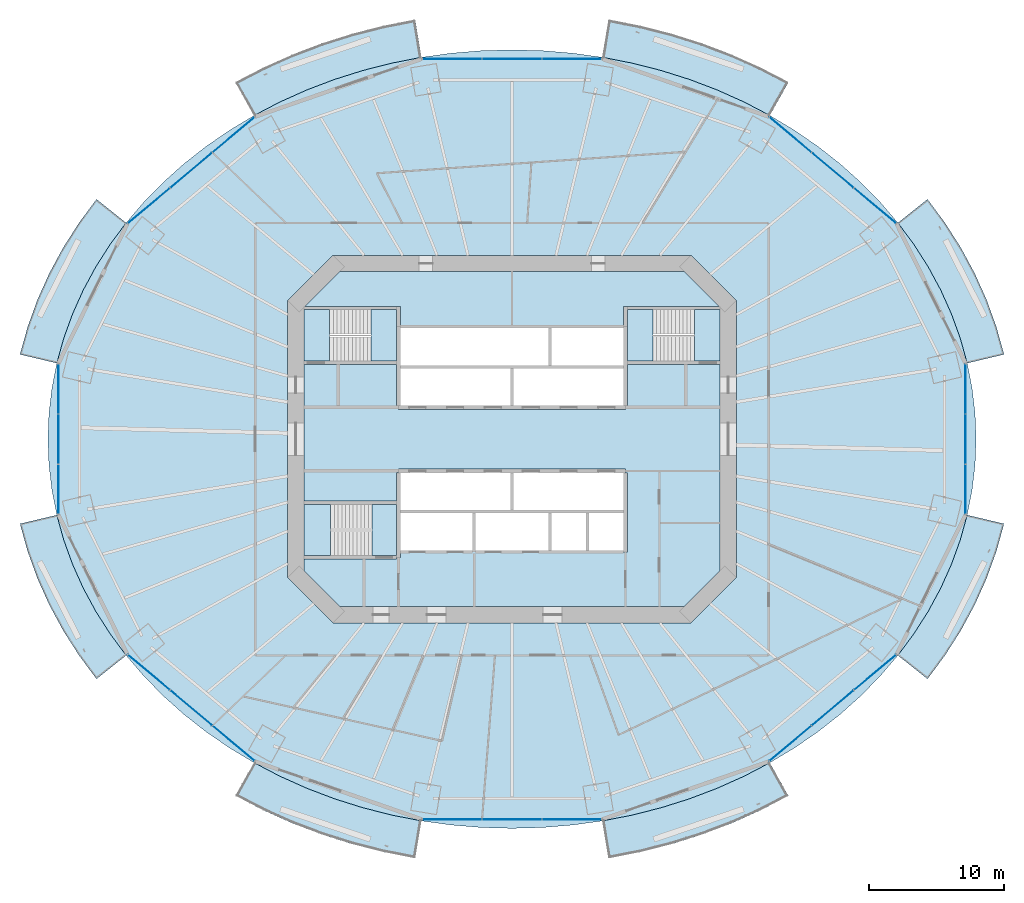
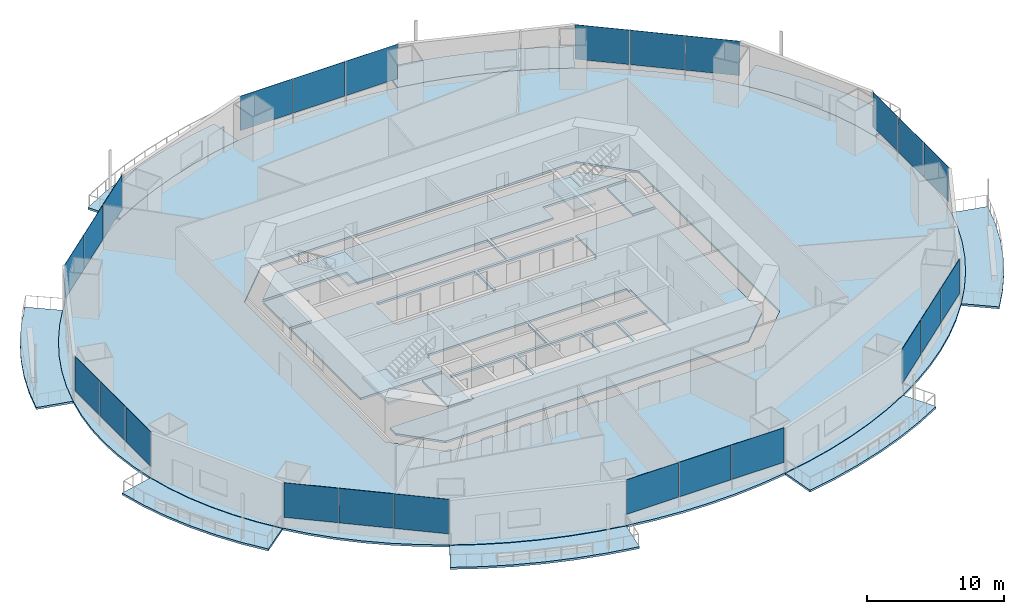
# One storey, part 12 of 22: 24 plates, 17 slabs, 11 elements without a shape of their own.
"""IFC4 building model written with IfcOpenShell, lengths in metres."""

from ifc_helpers import new_model, si_unit, direction, frame, origin, origin_2d, place, context, subcontext, project, spatial, polyline, rectangle, outline, extrude, material, layer, layer_set, type_object, element, aggregate, save


model = new_model("IFC4")

# Units and contexts
model_context = context("Model", 3, precision=1e-05, world=origin(), true_north=direction((0.0, 1.0)))
body_context = subcontext(model_context, "Body", "Model", "MODEL_VIEW")
ifc_project = project(units=[si_unit("LENGTHUNIT", "METRE"), si_unit("AREAUNIT", "SQUARE_METRE"), si_unit("VOLUMEUNIT", "CUBIC_METRE"), si_unit("PLANEANGLEUNIT", "RADIAN"), si_unit("MASSUNIT", "GRAM", prefix="KILO")], contexts=[model_context])

# Site, building, storey
site_placement = place(None, origin())
site = spatial("IfcSite", under=ifc_project, at=site_placement, CompositionType="ELEMENT")
building_placement = place(site_placement, origin())
building = spatial("IfcBuilding", under=site, at=building_placement, Name="Marenthal Gate Tower", CompositionType="ELEMENT")
storey_placement = place(building_placement, frame((0.0, 0.0, 116.0)))
storey = spatial("IfcBuildingStorey", under=building, at=storey_placement, Name="L24", CompositionType="ELEMENT", Elevation=116.0)

# Slabs
ifc_material_1 = material(Name="Concrete 40 MPa", Category="concrete")
ifc_layer_1 = layer(ifc_material_1, 0.179931640625)
ifc_layer_set_1 = layer_set([ifc_layer_1], Name="Balcony deck 180")
slab_type_1 = type_object("IfcSlabType", Name="Balcony deck 180", PredefinedType="USERDEFINED", material=ifc_layer_set_1)
slab_1_placement = place(storey_placement, frame((0.0, 0.0, -0.219970703125)))
element("IfcSlab", 1, at=slab_1_placement, inside=storey, type_object=slab_type_1, Name="Balcony deck L24 bay 1", ObjectType="BALCONY", PredefinedType="USERDEFINED", context=body_context, shape_type="SweptSolid", body=[
    extrude(outline(polyline([(33.68603515625, 5.6201171875), (33.17578125, 7.4560546875), (32.523193359375, 9.260009765625), (31.731689453125, 11.0244140625), (30.803955078125, 12.741455078125), (29.744384765625, 14.404052734375), (28.5576171875, 16.0048828125), (30.747802734375, 17.74951171875), (32.051025390625, 15.99169921875), (33.2177734375, 14.16064453125), (34.2421875, 12.26416015625), (35.118896484375, 10.310302734375), (35.843017578125, 8.30810546875), (36.41064453125, 6.266357421875), (33.68603515625, 5.6201171875)])), origin(), (0.0, 0.0, 1.0), 0.179931640625),
])
slab_2_placement = place(storey_placement, frame((0.0, 0.0, -0.219970703125)))
element("IfcSlab", 2, at=slab_2_placement, inside=storey, type_object=slab_type_1, Name="Balcony deck L24 bay 3", ObjectType="BALCONY", PredefinedType="USERDEFINED", context=body_context, shape_type="SweptSolid", body=[
    extrude(outline(polyline([(19.08154296875, 23.952880859375), (17.173095703125, 24.948486328125), (15.19091796875, 25.837158203125), (13.1435546875, 26.614990234375), (11.040283203125, 27.279296875), (8.889404296875, 27.826416015625), (6.70068359375, 28.25439453125), (7.161376953125, 31.016357421875), (9.50341796875, 30.558349609375), (11.806884765625, 29.97216796875), (14.0625, 29.260009765625), (16.260986328125, 28.424560546875), (18.393310546875, 27.468505859375), (20.450439453125, 26.3955078125), (19.08154296875, 23.952880859375)])), origin(), (0.0, 0.0, 1.0), 0.179931640625),
])
slab_3_placement = place(storey_placement, frame((0.0, 0.0, -0.219970703125)))
element("IfcSlab", 3, at=slab_3_placement, inside=storey, type_object=slab_type_1, Name="Balcony deck L24 bay 5", ObjectType="BALCONY", PredefinedType="USERDEFINED", context=body_context, shape_type="SweptSolid", body=[
    extrude(outline(polyline([(-6.70068359375, 28.25439453125), (-8.889404296875, 27.826416015625), (-11.040283203125, 27.279296875), (-13.1435546875, 26.614990234375), (-15.19091796875, 25.837158203125), (-17.173095703125, 24.948486328125), (-19.08154296875, 23.952880859375), (-20.450439453125, 26.3955078125), (-18.393310546875, 27.468505859375), (-16.260986328125, 28.424560546875), (-14.0625, 29.260009765625), (-11.806884765625, 29.97216796875), (-9.50341796875, 30.558349609375), (-7.161376953125, 31.016357421875), (-6.70068359375, 28.25439453125)])), origin(), (0.0, 0.0, 1.0), 0.179931640625),
])
slab_4_placement = place(storey_placement, frame((0.0, 0.0, -0.219970703125)))
element("IfcSlab", 4, at=slab_4_placement, inside=storey, type_object=slab_type_1, Name="Balcony deck L24 bay 7", ObjectType="BALCONY", PredefinedType="USERDEFINED", context=body_context, shape_type="SweptSolid", body=[
    extrude(outline(polyline([(-28.5576171875, 16.0048828125), (-29.744384765625, 14.404052734375), (-30.803955078125, 12.741455078125), (-31.731689453125, 11.0244140625), (-32.523193359375, 9.260009765625), (-33.17578125, 7.4560546875), (-33.68603515625, 5.6201171875), (-36.41064453125, 6.266357421875), (-35.843017578125, 8.30810546875), (-35.118896484375, 10.310302734375), (-34.2421875, 12.26416015625), (-33.2177734375, 14.16064453125), (-32.051025390625, 15.99169921875), (-30.747802734375, 17.74951171875), (-28.5576171875, 16.0048828125)])), origin(), (0.0, 0.0, 1.0), 0.179931640625),
])
slab_5_placement = place(storey_placement, frame((0.0, 0.0, -0.219970703125)))
element("IfcSlab", 5, at=slab_5_placement, inside=storey, type_object=slab_type_1, Name="Balcony deck L24 bay 9", ObjectType="BALCONY", PredefinedType="USERDEFINED", context=body_context, shape_type="SweptSolid", body=[
    extrude(outline(polyline([(-33.68603515625, -5.6201171875), (-33.17578125, -7.4560546875), (-32.523193359375, -9.260009765625), (-31.731689453125, -11.0244140625), (-30.803955078125, -12.741455078125), (-29.744384765625, -14.404052734375), (-28.5576171875, -16.0048828125), (-30.747802734375, -17.74951171875), (-32.051025390625, -15.99169921875), (-33.2177734375, -14.16064453125), (-34.2421875, -12.26416015625), (-35.118896484375, -10.310302734375), (-35.843017578125, -8.30810546875), (-36.41064453125, -6.266357421875), (-33.68603515625, -5.6201171875)])), origin(), (0.0, 0.0, 1.0), 0.179931640625),
])
slab_6_placement = place(storey_placement, frame((0.0, 0.0, -0.219970703125)))
element("IfcSlab", 6, at=slab_6_placement, inside=storey, type_object=slab_type_1, Name="Balcony deck L24 bay 11", ObjectType="BALCONY", PredefinedType="USERDEFINED", context=body_context, shape_type="SweptSolid", body=[
    extrude(outline(polyline([(-19.08154296875, -23.952880859375), (-17.173095703125, -24.948486328125), (-15.19091796875, -25.837158203125), (-13.1435546875, -26.614990234375), (-11.040283203125, -27.279296875), (-8.889404296875, -27.826416015625), (-6.70068359375, -28.25439453125), (-7.161376953125, -31.016357421875), (-9.50341796875, -30.558349609375), (-11.806884765625, -29.97216796875), (-14.0625, -29.260009765625), (-16.260986328125, -28.424560546875), (-18.393310546875, -27.468505859375), (-20.450439453125, -26.3955078125), (-19.08154296875, -23.952880859375)])), origin(), (0.0, 0.0, 1.0), 0.179931640625),
])
slab_7_placement = place(storey_placement, frame((0.0, 0.0, -0.219970703125)))
element("IfcSlab", 7, at=slab_7_placement, inside=storey, type_object=slab_type_1, Name="Balcony deck L24 bay 13", ObjectType="BALCONY", PredefinedType="USERDEFINED", context=body_context, shape_type="SweptSolid", body=[
    extrude(outline(polyline([(6.70068359375, -28.25439453125), (8.889404296875, -27.826416015625), (11.040283203125, -27.279296875), (13.1435546875, -26.614990234375), (15.19091796875, -25.837158203125), (17.173095703125, -24.948486328125), (19.08154296875, -23.952880859375), (20.450439453125, -26.3955078125), (18.393310546875, -27.468505859375), (16.260986328125, -28.424560546875), (14.0625, -29.260009765625), (11.806884765625, -29.97216796875), (9.50341796875, -30.558349609375), (7.161376953125, -31.016357421875), (6.70068359375, -28.25439453125)])), origin(), (0.0, 0.0, 1.0), 0.179931640625),
])
slab_8_placement = place(storey_placement, frame((0.0, 0.0, -0.219970703125)))
element("IfcSlab", 8, at=slab_8_placement, inside=storey, type_object=slab_type_1, Name="Balcony deck L24 bay 15", ObjectType="BALCONY", PredefinedType="USERDEFINED", context=body_context, shape_type="SweptSolid", body=[
    extrude(outline(polyline([(28.5576171875, -16.0048828125), (29.744384765625, -14.404052734375), (30.803955078125, -12.741455078125), (31.731689453125, -11.0244140625), (32.523193359375, -9.260009765625), (33.17578125, -7.4560546875), (33.68603515625, -5.6201171875), (36.41064453125, -6.266357421875), (35.843017578125, -8.30810546875), (35.118896484375, -10.310302734375), (34.2421875, -12.26416015625), (33.2177734375, -14.16064453125), (32.051025390625, -15.99169921875), (30.747802734375, -17.74951171875), (28.5576171875, -16.0048828125)])), origin(), (0.0, 0.0, 1.0), 0.179931640625),
])
ifc_material_2 = material(Name="Concrete 50 MPa", Category="concrete")
ifc_layer_2 = layer(ifc_material_2, 0.179931640625)
ifc_layer_set_2 = layer_set([ifc_layer_2], Name="Core floor slab 180")
slab_type_2 = type_object("IfcSlabType", Name="Core floor slab 180", PredefinedType="FLOOR", material=ifc_layer_set_2)
slab_9_placement = place(storey_placement, frame((0.0, 0.0, -0.179931640625)))
element("IfcSlab", 9, at=slab_9_placement, inside=storey, type_object=slab_type_2, Name="Core floor L24", PredefinedType="FLOOR", context=body_context, shape_type="SweptSolid", body=[
    extrude(outline(polyline([(15.39990234375, -9.75146484375), (12.75146484375, -12.39990234375), (-12.75146484375, -12.39990234375), (-15.39990234375, -9.75146484375), (-15.39990234375, -8.875), (-8.550048828125, -8.875), (-8.550048828125, -8.75), (-8.25, -8.75), (-8.25, -8.239990234375), (-5.60009765625, -8.239990234375), (-2.909912109375, -8.239990234375), (-2.909912109375, -5.4599609375), (-5.60009765625, -5.4599609375), (-8.25, -5.4599609375), (-8.25, -5.239990234375), (-5.60009765625, -5.239990234375), (-2.800048828125, -5.239990234375), (-0.110107421875, -5.239990234375), (-0.110107421875, -2.5), (0.110107421875, -2.5), (0.110107421875, -5.239990234375), (2.800048828125, -5.239990234375), (5.60009765625, -5.239990234375), (8.25, -5.239990234375), (8.25, -5.4599609375), (5.7099609375, -5.4599609375), (5.7099609375, -8.239990234375), (8.25, -8.239990234375), (8.25, -8.35009765625), (8.550048828125, -8.35009765625), (8.550048828125, -2.5), (8.39990234375, -2.5), (8.39990234375, -2.199951171875), (-8.39990234375, -2.199951171875), (-8.39990234375, -2.5), (-8.550048828125, -2.5), (-8.550048828125, -4.574951171875), (-15.39990234375, -4.574951171875), (-15.39990234375, 5.52490234375), (-8.550048828125, 5.52490234375), (-8.550048828125, 2.5), (-8.39990234375, 2.5), (-8.39990234375, 2.199951171875), (8.39990234375, 2.199951171875), (8.39990234375, 2.5), (8.550048828125, 2.5), (8.550048828125, 5.52490234375), (15.39990234375, 5.52490234375), (15.39990234375, -9.75146484375)]), holes=[polyline([(2.68994140625, -5.4599609375), (0.0, -5.4599609375), (-2.68994140625, -5.4599609375), (-2.68994140625, -8.239990234375), (0.0, -8.239990234375), (2.68994140625, -8.239990234375), (2.68994140625, -5.4599609375)]), polyline([(5.489990234375, -5.4599609375), (2.909912109375, -5.4599609375), (2.909912109375, -8.239990234375), (5.489990234375, -8.239990234375), (5.489990234375, -5.4599609375)])]), origin(), (0.0, 0.0, 1.0), 0.179931640625),
])
slab_10_placement = place(storey_placement, frame((0.0, 0.0, -0.179931640625)))
element("IfcSlab", 10, at=slab_10_placement, inside=storey, type_object=slab_type_2, Name="Core floor L24", PredefinedType="FLOOR", context=body_context, shape_type="SweptSolid", body=[
    extrude(outline(polyline([(15.39990234375, 5.77490234375), (13.5, 5.77490234375), (13.5, 9.574951171875), (15.39990234375, 9.574951171875), (15.39990234375, 5.77490234375)])), origin(), (0.0, 0.0, 1.0), 0.179931640625),
])
slab_11_placement = place(storey_placement, frame((0.0, 0.0, -0.179931640625)))
element("IfcSlab", 11, at=slab_11_placement, inside=storey, type_object=slab_type_2, Name="Core floor L24", PredefinedType="FLOOR", context=body_context, shape_type="SweptSolid", body=[
    extrude(outline(polyline([(12.75146484375, 12.39990234375), (15.326416015625, 9.824951171875), (8.550048828125, 9.824951171875), (8.25, 9.824951171875), (8.25, 8.35009765625), (8.25, 8.239990234375), (5.60009765625, 8.239990234375), (2.909912109375, 8.239990234375), (2.909912109375, 5.4599609375), (5.60009765625, 5.4599609375), (8.25, 5.4599609375), (8.25, 5.239990234375), (5.60009765625, 5.239990234375), (2.800048828125, 5.239990234375), (0.110107421875, 5.239990234375), (0.110107421875, 2.5), (-0.110107421875, 2.5), (-0.110107421875, 5.239990234375), (-2.800048828125, 5.239990234375), (-5.60009765625, 5.239990234375), (-8.25, 5.239990234375), (-8.25, 5.4599609375), (-5.60009765625, 5.4599609375), (-2.800048828125, 5.4599609375), (0.0, 5.4599609375), (2.68994140625, 5.4599609375), (2.68994140625, 8.239990234375), (0.0, 8.239990234375), (-2.800048828125, 8.239990234375), (-5.60009765625, 8.239990234375), (-8.25, 8.239990234375), (-8.25, 8.35009765625), (-8.25, 9.824951171875), (-8.550048828125, 9.824951171875), (-15.326416015625, 9.824951171875), (-12.75146484375, 12.39990234375), (12.75146484375, 12.39990234375)])), origin(), (0.0, 0.0, 1.0), 0.179931640625),
])
slab_12_placement = place(storey_placement, frame((0.0, 0.0, -0.179931640625)))
element("IfcSlab", 12, at=slab_12_placement, inside=storey, type_object=slab_type_2, Name="Core floor L24", PredefinedType="FLOOR", context=body_context, shape_type="SweptSolid", body=[
    extrude(outline(polyline([(-15.39990234375, 9.574951171875), (-13.5, 9.574951171875), (-13.5, 5.77490234375), (-15.39990234375, 5.77490234375), (-15.39990234375, 9.574951171875)])), origin(), (0.0, 0.0, 1.0), 0.179931640625),
])
slab_13_placement = place(storey_placement, frame((0.0, 0.0, -0.179931640625)))
element("IfcSlab", 13, at=slab_13_placement, inside=storey, type_object=slab_type_2, Name="Core floor L24", PredefinedType="FLOOR", context=body_context, shape_type="SweptSolid", body=[
    extrude(outline(polyline([(-8.550048828125, -8.625), (-10.35009765625, -8.625), (-10.35009765625, -4.824951171875), (-8.550048828125, -4.824951171875), (-8.550048828125, -8.625)])), origin(), (0.0, 0.0, 1.0), 0.179931640625),
])
ifc_material_3 = material(Name="Concrete 35 MPa", Category="concrete")
ifc_layer_3 = layer(ifc_material_3, 0.179931640625)
ifc_layer_set_3 = layer_set([ifc_layer_3], Name="Floor slab 180")
slab_type_3 = type_object("IfcSlabType", Name="Floor slab 180", PredefinedType="FLOOR", material=ifc_layer_set_3)
slab_14_placement = place(storey_placement, frame((0.0, 0.0, -0.179931640625)))
element("IfcSlab", 14, at=slab_14_placement, inside=storey, type_object=slab_type_3, Name="SL-L24-01", PredefinedType="FLOOR", context=body_context, shape_type="SweptSolid", body=[
    extrude(outline(polyline([(34.345947265625, 0.0), (34.2724609375, 1.884033203125), (34.05224609375, 3.76025390625), (33.68603515625, 5.6201171875), (33.17578125, 7.4560546875), (32.523193359375, 9.260009765625), (31.731689453125, 11.0244140625), (30.803955078125, 12.741455078125), (29.744384765625, 14.404052734375), (28.5576171875, 16.0048828125), (27.24853515625, 17.537109375), (25.82275390625, 18.994384765625), (24.286376953125, 20.370361328125), (22.64599609375, 21.658935546875), (20.908447265625, 22.85498046875), (19.08154296875, 23.952880859375), (17.173095703125, 24.948486328125), (15.19091796875, 25.837158203125), (13.1435546875, 26.614990234375), (11.040283203125, 27.279296875), (8.889404296875, 27.826416015625), (6.70068359375, 28.25439453125), (4.483154296875, 28.5615234375), (2.246337890625, 28.746337890625), (0.0, 28.80810546875), (-2.246337890625, 28.746337890625), (-4.483154296875, 28.5615234375), (-6.70068359375, 28.25439453125), (-8.889404296875, 27.826416015625), (-11.040283203125, 27.279296875), (-13.1435546875, 26.614990234375), (-15.19091796875, 25.837158203125), (-17.173095703125, 24.948486328125), (-19.08154296875, 23.952880859375), (-20.908447265625, 22.85498046875), (-22.64599609375, 21.658935546875), (-24.286376953125, 20.370361328125), (-25.82275390625, 18.994384765625), (-27.24853515625, 17.537109375), (-28.5576171875, 16.0048828125), (-29.744384765625, 14.404052734375), (-30.803955078125, 12.741455078125), (-31.731689453125, 11.0244140625), (-32.523193359375, 9.260009765625), (-33.17578125, 7.4560546875), (-33.68603515625, 5.6201171875), (-34.05224609375, 3.76025390625), (-34.2724609375, 1.884033203125), (-34.345947265625, 0.0), (-34.2724609375, -1.884033203125), (-34.05224609375, -3.76025390625), (-33.68603515625, -5.6201171875), (-33.17578125, -7.4560546875), (-32.523193359375, -9.260009765625), (-31.731689453125, -11.0244140625), (-30.803955078125, -12.741455078125), (-29.744384765625, -14.404052734375), (-28.5576171875, -16.0048828125), (-27.24853515625, -17.537109375), (-25.82275390625, -18.994384765625), (-24.286376953125, -20.370361328125), (-22.64599609375, -21.658935546875), (-20.908447265625, -22.85498046875), (-19.08154296875, -23.952880859375), (-17.173095703125, -24.948486328125), (-15.19091796875, -25.837158203125), (-13.1435546875, -26.614990234375), (-11.040283203125, -27.279296875), (-8.889404296875, -27.826416015625), (-6.70068359375, -28.25439453125), (-4.483154296875, -28.5615234375), (-2.246337890625, -28.746337890625), (0.0, -28.80810546875), (2.246337890625, -28.746337890625), (4.483154296875, -28.5615234375), (6.70068359375, -28.25439453125), (8.889404296875, -27.826416015625), (11.040283203125, -27.279296875), (13.1435546875, -26.614990234375), (15.19091796875, -25.837158203125), (17.173095703125, -24.948486328125), (19.08154296875, -23.952880859375), (20.908447265625, -22.85498046875), (22.64599609375, -21.658935546875), (24.286376953125, -20.370361328125), (25.82275390625, -18.994384765625), (27.24853515625, -17.537109375), (28.5576171875, -16.0048828125), (29.744384765625, -14.404052734375), (30.803955078125, -12.741455078125), (31.731689453125, -11.0244140625), (32.523193359375, -9.260009765625), (33.17578125, -7.4560546875), (33.68603515625, -5.6201171875), (34.05224609375, -3.76025390625), (34.2724609375, -1.884033203125), (34.345947265625, 0.0)]), holes=[polyline([(13.24853515625, -13.60009765625), (16.60009765625, -10.24853515625), (16.60009765625, 10.24853515625), (13.24853515625, 13.60009765625), (-13.24853515625, 13.60009765625), (-16.60009765625, 10.24853515625), (-16.60009765625, -10.24853515625), (-13.24853515625, -13.60009765625), (13.24853515625, -13.60009765625)])]), origin(), (0.0, 0.0, 1.0), 0.179931640625),
])

# Curtain wall, plates
ifc_material_4 = material(Name="Aluminium and glass", Category="aluminium")
curtain_wall_type = type_object("IfcCurtainWallType", Name="Curtain wall typical low", PredefinedType="NOTDEFINED", material=ifc_material_4)
curtain_wall_1_placement = place(storey_placement, origin())
curtain_wall_1 = element("IfcCurtainWall", 15, at=curtain_wall_1_placement, inside=storey, type_object=curtain_wall_type, Name="Curtain wall L24 bay 2", PredefinedType="NOTDEFINED")
ifc_material_5 = material(Name="Glass, laminated insulating unit", Category="glass")
ifc_layer_4 = layer(ifc_material_5, 0.030029296875)
ifc_layer_set_4 = layer_set([ifc_layer_4], Name="Glass panel 30 typical low")
plate_type = type_object("IfcPlateType", Name="Glass panel 30 typical low", PredefinedType="CURTAIN_PANEL", material=ifc_layer_set_4)
plate_1_placement = place(storey_placement, frame((26.86865234375, 17.270263671875, 0.89990234375), z_axis=(0.0, 0.0, 1.0), x_axis=(-0.766388728972, 0.642377082487, 0.0)))
plate_1 = element("IfcPlate", 16, at=plate_1_placement, type_object=plate_type, Name="Glass panel L24 bay 2.1", PredefinedType="CURTAIN_PANEL", context=body_context, shape_type="SweptSolid", body=[
    extrude(rectangle(XDim=4.027099609375, YDim=0.030029296875, at=origin_2d()), origin(), (0.0, 0.0, 1.0), 3.070068359375),
])
plate_2_placement = place(storey_placement, frame((23.736328125, 19.895751953125, 0.89990234375), z_axis=(0.0, 0.0, 1.0), x_axis=(-0.766388728972, 0.642377082487, 0.0)))
plate_2 = element("IfcPlate", 17, at=plate_2_placement, type_object=plate_type, Name="Glass panel L24 bay 2.2", PredefinedType="CURTAIN_PANEL", context=body_context, shape_type="SweptSolid", body=[
    extrude(rectangle(XDim=4.027099609375, YDim=0.030029296875, at=origin_2d()), origin(), (0.0, 0.0, 1.0), 3.070068359375),
])
plate_3_placement = place(storey_placement, frame((20.60400390625, 22.521240234375, 0.89990234375), z_axis=(0.0, 0.0, 1.0), x_axis=(-0.766388728972, 0.642377082487, 0.0)))
plate_3 = element("IfcPlate", 18, at=plate_3_placement, type_object=plate_type, Name="Glass panel L24 bay 2.3", PredefinedType="CURTAIN_PANEL", context=body_context, shape_type="SweptSolid", body=[
    extrude(rectangle(XDim=4.027099609375, YDim=0.030029296875, at=origin_2d()), origin(), (0.0, 0.0, 1.0), 3.070068359375),
])
aggregate(curtain_wall_1, [plate_1, plate_2, plate_3])

curtain_wall_2_placement = place(storey_placement, origin())
curtain_wall_2 = element("IfcCurtainWall", 19, at=curtain_wall_2_placement, inside=storey, type_object=curtain_wall_type, Name="Curtain wall L24 bay 4", PredefinedType="NOTDEFINED")
plate_4_placement = place(storey_placement, frame((4.431396484375, 28.13671875, 0.89990234375), z_axis=(0.0, 0.0, 1.0), x_axis=(-1.0, 0.0, 0.0)))
plate_4 = element("IfcPlate", 20, at=plate_4_placement, type_object=plate_type, Name="Glass panel L24 bay 4.1", PredefinedType="CURTAIN_PANEL", context=body_context, shape_type="SweptSolid", body=[
    extrude(rectangle(XDim=4.37158203125, YDim=0.030029296875, at=origin_2d()), origin(), (0.0, 0.0, 1.0), 3.070068359375),
])
plate_5_placement = place(storey_placement, frame((0.0, 28.13671875, 0.89990234375), z_axis=(0.0, 0.0, 1.0), x_axis=(-1.0, 0.0, 0.0)))
plate_5 = element("IfcPlate", 21, at=plate_5_placement, type_object=plate_type, Name="Glass panel L24 bay 4.2", PredefinedType="CURTAIN_PANEL", context=body_context, shape_type="SweptSolid", body=[
    extrude(rectangle(XDim=4.371337890625, YDim=0.030029296875, at=origin_2d()), origin(), (0.0, 0.0, 1.0), 3.070068359375),
])
plate_6_placement = place(storey_placement, frame((-4.431396484375, 28.13671875, 0.89990234375), z_axis=(0.0, 0.0, 1.0), x_axis=(-1.0, 0.0, 0.0)))
plate_6 = element("IfcPlate", 22, at=plate_6_placement, type_object=plate_type, Name="Glass panel L24 bay 4.3", PredefinedType="CURTAIN_PANEL", context=body_context, shape_type="SweptSolid", body=[
    extrude(rectangle(XDim=4.37158203125, YDim=0.030029296875, at=origin_2d()), origin(), (0.0, 0.0, 1.0), 3.070068359375),
])
aggregate(curtain_wall_2, [plate_4, plate_5, plate_6])

curtain_wall_3_placement = place(storey_placement, origin())
curtain_wall_3 = element("IfcCurtainWall", 23, at=curtain_wall_3_placement, inside=storey, type_object=curtain_wall_type, Name="Curtain wall L24 bay 6", PredefinedType="NOTDEFINED")
plate_7_placement = place(storey_placement, frame((-20.60400390625, 22.521240234375, 0.89990234375), z_axis=(0.0, 0.0, 1.0), x_axis=(-0.766388728972, -0.642377082487, 0.0)))
plate_7 = element("IfcPlate", 24, at=plate_7_placement, type_object=plate_type, Name="Glass panel L24 bay 6.1", PredefinedType="CURTAIN_PANEL", context=body_context, shape_type="SweptSolid", body=[
    extrude(rectangle(XDim=4.027099609375, YDim=0.030029296875, at=origin_2d()), origin(), (0.0, 0.0, 1.0), 3.070068359375),
])
plate_8_placement = place(storey_placement, frame((-23.736328125, 19.895751953125, 0.89990234375), z_axis=(0.0, 0.0, 1.0), x_axis=(-0.766388728972, -0.642377082487, 0.0)))
plate_8 = element("IfcPlate", 25, at=plate_8_placement, type_object=plate_type, Name="Glass panel L24 bay 6.2", PredefinedType="CURTAIN_PANEL", context=body_context, shape_type="SweptSolid", body=[
    extrude(rectangle(XDim=4.027099609375, YDim=0.030029296875, at=origin_2d()), origin(), (0.0, 0.0, 1.0), 3.070068359375),
])
plate_9_placement = place(storey_placement, frame((-26.86865234375, 17.270263671875, 0.89990234375), z_axis=(0.0, 0.0, 1.0), x_axis=(-0.766388728972, -0.642377082487, 0.0)))
plate_9 = element("IfcPlate", 26, at=plate_9_placement, type_object=plate_type, Name="Glass panel L24 bay 6.3", PredefinedType="CURTAIN_PANEL", context=body_context, shape_type="SweptSolid", body=[
    extrude(rectangle(XDim=4.027099609375, YDim=0.030029296875, at=origin_2d()), origin(), (0.0, 0.0, 1.0), 3.070068359375),
])
aggregate(curtain_wall_3, [plate_7, plate_8, plate_9])

curtain_wall_4_placement = place(storey_placement, origin())
curtain_wall_4 = element("IfcCurtainWall", 27, at=curtain_wall_4_placement, inside=storey, type_object=curtain_wall_type, Name="Curtain wall L24 bay 8", PredefinedType="NOTDEFINED")
plate_10_placement = place(storey_placement, frame((-33.568359375, 3.711181640625, 0.89990234375), z_axis=(0.0, 0.0, 1.0), x_axis=(0.0, -1.0, 0.0)))
plate_10 = element("IfcPlate", 28, at=plate_10_placement, type_object=plate_type, Name="Glass panel L24 bay 8.1", PredefinedType="CURTAIN_PANEL", context=body_context, shape_type="SweptSolid", body=[
    extrude(rectangle(XDim=3.651123046875, YDim=0.030029296875, at=origin_2d()), origin(), (0.0, 0.0, 1.0), 3.070068359375),
])
plate_11_placement = place(storey_placement, frame((-33.568359375, 0.0, 0.89990234375), z_axis=(0.0, 0.0, 1.0), x_axis=(0.0, -1.0, 0.0)))
plate_11 = element("IfcPlate", 29, at=plate_11_placement, type_object=plate_type, Name="Glass panel L24 bay 8.2", PredefinedType="CURTAIN_PANEL", context=body_context, shape_type="SweptSolid", body=[
    extrude(rectangle(XDim=3.651123046875, YDim=0.030029296875, at=origin_2d()), origin(), (0.0, 0.0, 1.0), 3.070068359375),
])
plate_12_placement = place(storey_placement, frame((-33.568359375, -3.711181640625, 0.89990234375), z_axis=(0.0, 0.0, 1.0), x_axis=(0.0, -1.0, 0.0)))
plate_12 = element("IfcPlate", 30, at=plate_12_placement, type_object=plate_type, Name="Glass panel L24 bay 8.3", PredefinedType="CURTAIN_PANEL", context=body_context, shape_type="SweptSolid", body=[
    extrude(rectangle(XDim=3.651123046875, YDim=0.030029296875, at=origin_2d()), origin(), (0.0, 0.0, 1.0), 3.070068359375),
])
aggregate(curtain_wall_4, [plate_10, plate_11, plate_12])

curtain_wall_5_placement = place(storey_placement, origin())
curtain_wall_5 = element("IfcCurtainWall", 31, at=curtain_wall_5_placement, inside=storey, type_object=curtain_wall_type, Name="Curtain wall L24 bay 10", PredefinedType="NOTDEFINED")
plate_13_placement = place(storey_placement, frame((-26.86865234375, -17.270263671875, 0.89990234375), z_axis=(0.0, 0.0, 1.0), x_axis=(0.766388728972, -0.642377082487, 0.0)))
plate_13 = element("IfcPlate", 32, at=plate_13_placement, type_object=plate_type, Name="Glass panel L24 bay 10.1", PredefinedType="CURTAIN_PANEL", context=body_context, shape_type="SweptSolid", body=[
    extrude(rectangle(XDim=4.027099609375, YDim=0.030029296875, at=origin_2d()), origin(), (0.0, 0.0, 1.0), 3.070068359375),
])
plate_14_placement = place(storey_placement, frame((-23.736328125, -19.895751953125, 0.89990234375), z_axis=(0.0, 0.0, 1.0), x_axis=(0.766388728972, -0.642377082487, 0.0)))
plate_14 = element("IfcPlate", 33, at=plate_14_placement, type_object=plate_type, Name="Glass panel L24 bay 10.2", PredefinedType="CURTAIN_PANEL", context=body_context, shape_type="SweptSolid", body=[
    extrude(rectangle(XDim=4.027099609375, YDim=0.030029296875, at=origin_2d()), origin(), (0.0, 0.0, 1.0), 3.070068359375),
])
plate_15_placement = place(storey_placement, frame((-20.60400390625, -22.521240234375, 0.89990234375), z_axis=(0.0, 0.0, 1.0), x_axis=(0.766388728972, -0.642377082487, 0.0)))
plate_15 = element("IfcPlate", 34, at=plate_15_placement, type_object=plate_type, Name="Glass panel L24 bay 10.3", PredefinedType="CURTAIN_PANEL", context=body_context, shape_type="SweptSolid", body=[
    extrude(rectangle(XDim=4.027099609375, YDim=0.030029296875, at=origin_2d()), origin(), (0.0, 0.0, 1.0), 3.070068359375),
])
aggregate(curtain_wall_5, [plate_13, plate_14, plate_15])

curtain_wall_6_placement = place(storey_placement, origin())
curtain_wall_6 = element("IfcCurtainWall", 35, at=curtain_wall_6_placement, inside=storey, type_object=curtain_wall_type, Name="Curtain wall L24 bay 12", PredefinedType="NOTDEFINED")
plate_16_placement = place(storey_placement, frame((-4.431396484375, -28.13671875, 0.89990234375), z_axis=(0.0, 0.0, 1.0), x_axis=(1.0, 0.0, 0.0)))
plate_16 = element("IfcPlate", 36, at=plate_16_placement, type_object=plate_type, Name="Glass panel L24 bay 12.1", PredefinedType="CURTAIN_PANEL", context=body_context, shape_type="SweptSolid", body=[
    extrude(rectangle(XDim=4.37158203125, YDim=0.030029296875, at=origin_2d()), origin(), (0.0, 0.0, 1.0), 3.070068359375),
])
plate_17_placement = place(storey_placement, frame((0.0, -28.13671875, 0.89990234375), z_axis=(0.0, 0.0, 1.0), x_axis=(1.0, 0.0, 0.0)))
plate_17 = element("IfcPlate", 37, at=plate_17_placement, type_object=plate_type, Name="Glass panel L24 bay 12.2", PredefinedType="CURTAIN_PANEL", context=body_context, shape_type="SweptSolid", body=[
    extrude(rectangle(XDim=4.371337890625, YDim=0.030029296875, at=origin_2d()), origin(), (0.0, 0.0, 1.0), 3.070068359375),
])
plate_18_placement = place(storey_placement, frame((4.431396484375, -28.13671875, 0.89990234375), z_axis=(0.0, 0.0, 1.0), x_axis=(1.0, 0.0, 0.0)))
plate_18 = element("IfcPlate", 38, at=plate_18_placement, type_object=plate_type, Name="Glass panel L24 bay 12.3", PredefinedType="CURTAIN_PANEL", context=body_context, shape_type="SweptSolid", body=[
    extrude(rectangle(XDim=4.37158203125, YDim=0.030029296875, at=origin_2d()), origin(), (0.0, 0.0, 1.0), 3.070068359375),
])
aggregate(curtain_wall_6, [plate_16, plate_17, plate_18])

curtain_wall_7_placement = place(storey_placement, origin())
curtain_wall_7 = element("IfcCurtainWall", 39, at=curtain_wall_7_placement, inside=storey, type_object=curtain_wall_type, Name="Curtain wall L24 bay 14", PredefinedType="NOTDEFINED")
plate_19_placement = place(storey_placement, frame((20.60400390625, -22.521240234375, 0.89990234375), z_axis=(0.0, 0.0, 1.0), x_axis=(0.766388728972, 0.642377082487, 0.0)))
plate_19 = element("IfcPlate", 40, at=plate_19_placement, type_object=plate_type, Name="Glass panel L24 bay 14.1", PredefinedType="CURTAIN_PANEL", context=body_context, shape_type="SweptSolid", body=[
    extrude(rectangle(XDim=4.027099609375, YDim=0.030029296875, at=origin_2d()), origin(), (0.0, 0.0, 1.0), 3.070068359375),
])
plate_20_placement = place(storey_placement, frame((23.736328125, -19.895751953125, 0.89990234375), z_axis=(0.0, 0.0, 1.0), x_axis=(0.766388728972, 0.642377082487, 0.0)))
plate_20 = element("IfcPlate", 41, at=plate_20_placement, type_object=plate_type, Name="Glass panel L24 bay 14.2", PredefinedType="CURTAIN_PANEL", context=body_context, shape_type="SweptSolid", body=[
    extrude(rectangle(XDim=4.027099609375, YDim=0.030029296875, at=origin_2d()), origin(), (0.0, 0.0, 1.0), 3.070068359375),
])
plate_21_placement = place(storey_placement, frame((26.86865234375, -17.270263671875, 0.89990234375), z_axis=(0.0, 0.0, 1.0), x_axis=(0.766388728972, 0.642377082487, 0.0)))
plate_21 = element("IfcPlate", 42, at=plate_21_placement, type_object=plate_type, Name="Glass panel L24 bay 14.3", PredefinedType="CURTAIN_PANEL", context=body_context, shape_type="SweptSolid", body=[
    extrude(rectangle(XDim=4.027099609375, YDim=0.030029296875, at=origin_2d()), origin(), (0.0, 0.0, 1.0), 3.070068359375),
])
aggregate(curtain_wall_7, [plate_19, plate_20, plate_21])

curtain_wall_8_placement = place(storey_placement, origin())
curtain_wall_8 = element("IfcCurtainWall", 43, at=curtain_wall_8_placement, inside=storey, type_object=curtain_wall_type, Name="Curtain wall L24 bay 16", PredefinedType="NOTDEFINED")
plate_22_placement = place(storey_placement, frame((33.568359375, -3.711181640625, 0.89990234375), z_axis=(0.0, 0.0, 1.0), x_axis=(0.0, 1.0, 0.0)))
plate_22 = element("IfcPlate", 44, at=plate_22_placement, type_object=plate_type, Name="Glass panel L24 bay 16.1", PredefinedType="CURTAIN_PANEL", context=body_context, shape_type="SweptSolid", body=[
    extrude(rectangle(XDim=3.651123046875, YDim=0.030029296875, at=origin_2d()), origin(), (0.0, 0.0, 1.0), 3.070068359375),
])
plate_23_placement = place(storey_placement, frame((33.568359375, 0.0, 0.89990234375), z_axis=(0.0, 0.0, 1.0), x_axis=(0.0, 1.0, 0.0)))
plate_23 = element("IfcPlate", 45, at=plate_23_placement, type_object=plate_type, Name="Glass panel L24 bay 16.2", PredefinedType="CURTAIN_PANEL", context=body_context, shape_type="SweptSolid", body=[
    extrude(rectangle(XDim=3.651123046875, YDim=0.030029296875, at=origin_2d()), origin(), (0.0, 0.0, 1.0), 3.070068359375),
])
plate_24_placement = place(storey_placement, frame((33.568359375, 3.711181640625, 0.89990234375), z_axis=(0.0, 0.0, 1.0), x_axis=(0.0, 1.0, 0.0)))
plate_24 = element("IfcPlate", 46, at=plate_24_placement, type_object=plate_type, Name="Glass panel L24 bay 16.3", PredefinedType="CURTAIN_PANEL", context=body_context, shape_type="SweptSolid", body=[
    extrude(rectangle(XDim=3.651123046875, YDim=0.030029296875, at=origin_2d()), origin(), (0.0, 0.0, 1.0), 3.070068359375),
])
aggregate(curtain_wall_8, [plate_22, plate_23, plate_24])

# Stair, slab
ifc_material_6 = material(Name="Concrete 40 MPa", Category="concrete")
stair_type = type_object("IfcStairType", Name="Exit stair 1800", PredefinedType="HALF_TURN_STAIR", material=ifc_material_6)
stair_1_placement = place(storey_placement, origin())
stair_1 = element("IfcStair", 47, at=stair_1_placement, inside=storey, type_object=stair_type, Name="Stair ST1", PredefinedType="HALF_TURN_STAIR")
ifc_material_7 = material(Name="Concrete 40 MPa", Category="concrete")
ifc_layer_5 = layer(ifc_material_7, 0.199951171875)
ifc_layer_set_5 = layer_set([ifc_layer_5], Name="Stair landing 200")
slab_type_4 = type_object("IfcSlabType", Name="Stair landing 200", PredefinedType="LANDING", material=ifc_layer_set_5)
slab_15_placement = place(storey_placement, frame((0.0, 0.0, 1.875)))
slab_15 = element("IfcSlab", 48, at=slab_15_placement, type_object=slab_type_4, Name="ST1 landing 1", PredefinedType="LANDING", context=body_context, shape_type="SweptSolid", body=[
    extrude(outline(polyline([(-10.419921875, 5.77490234375), (-8.550048828125, 5.77490234375), (-8.550048828125, 9.574951171875), (-10.419921875, 9.574951171875), (-10.419921875, 5.77490234375)])), origin(), (0.0, 0.0, 1.0), 0.199951171875),
])
aggregate(stair_1, [slab_15])

stair_2_placement = place(storey_placement, origin())
stair_2 = element("IfcStair", 49, at=stair_2_placement, inside=storey, type_object=stair_type, Name="Stair ST2", PredefinedType="HALF_TURN_STAIR")
slab_16_placement = place(storey_placement, frame((0.0, 0.0, 1.875)))
slab_16 = element("IfcSlab", 50, at=slab_16_placement, type_object=slab_type_4, Name="ST2 landing 1", PredefinedType="LANDING", context=body_context, shape_type="SweptSolid", body=[
    extrude(outline(polyline([(-15.39990234375, -8.625), (-13.429931640625, -8.625), (-13.429931640625, -4.824951171875), (-15.39990234375, -4.824951171875), (-15.39990234375, -8.625)])), origin(), (0.0, 0.0, 1.0), 0.199951171875),
])
aggregate(stair_2, [slab_16])

stair_3_placement = place(storey_placement, origin())
stair_3 = element("IfcStair", 51, at=stair_3_placement, inside=storey, type_object=stair_type, Name="Stair ST3", PredefinedType="HALF_TURN_STAIR")
slab_17_placement = place(storey_placement, frame((0.0, 0.0, 1.875)))
slab_17 = element("IfcSlab", 52, at=slab_17_placement, type_object=slab_type_4, Name="ST3 landing 1", PredefinedType="LANDING", context=body_context, shape_type="SweptSolid", body=[
    extrude(outline(polyline([(8.550048828125, 5.77490234375), (10.419921875, 5.77490234375), (10.419921875, 9.574951171875), (8.550048828125, 9.574951171875), (8.550048828125, 5.77490234375)])), origin(), (0.0, 0.0, 1.0), 0.199951171875),
])
aggregate(stair_3, [slab_17])

save(model, "model.ifc")
